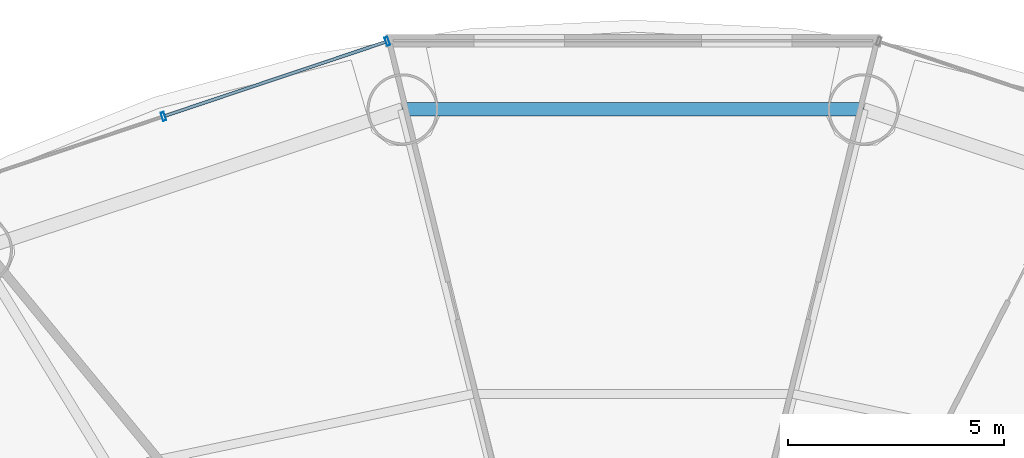
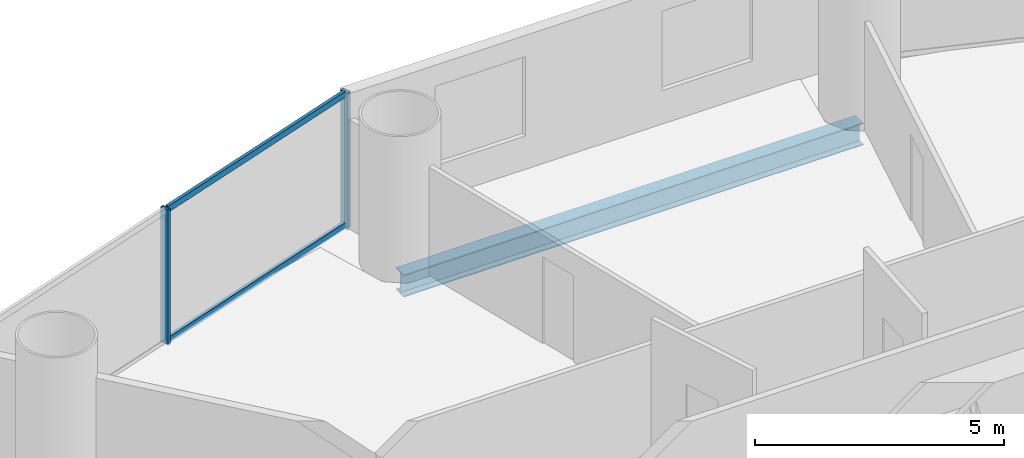
# One storey, part 16 of 28: 4 members, 1 beam, 1 element without a shape of its own.
"""IFC4 building model written with IfcOpenShell, lengths in metres."""

from ifc_helpers import new_model, si_unit, direction, frame, origin, origin_2d, place, context, subcontext, project, spatial, hollow_rectangle, i_section, extrude, source, transform, mapped, material, material_profile, profile_set, type_object, element, aggregate, save


model = new_model("IFC4")

# Units and contexts
model_context = context("Model", 3, precision=1e-05, world=origin(), true_north=direction((-0.2419218956, 0.970295726276)))
body_context = subcontext(model_context, "Body", "Model", "MODEL_VIEW")
ifc_project = project(units=[si_unit("LENGTHUNIT", "METRE"), si_unit("AREAUNIT", "SQUARE_METRE"), si_unit("VOLUMEUNIT", "CUBIC_METRE"), si_unit("PLANEANGLEUNIT", "RADIAN"), si_unit("MASSUNIT", "GRAM", prefix="KILO")], contexts=[model_context])

# Site, building, storey
site_placement = place(None, origin())
site = spatial("IfcSite", under=ifc_project, at=site_placement, CompositionType="ELEMENT")
building_placement = place(site_placement, origin())
building = spatial("IfcBuilding", under=site, at=building_placement, Name="Cobrevalo Terracotta Tower", CompositionType="ELEMENT")
storey_placement = place(building_placement, frame((0.0, 0.0, 34.800048828125)))
storey = spatial("IfcBuildingStorey", under=building, at=storey_placement, Name="L08", CompositionType="ELEMENT", Elevation=34.800048828125)

# Beam
ifc_material_1 = material(Name="Steel S355", Category="steel")
ifc_material_profile_1 = material_profile(ifc_material_1, i_section(OverallWidth=0.31201171875, OverallDepth=0.54296875, WebThickness=0.0126953125, FlangeThickness=0.020263671875, at=origin_2d()), Name="W 530x150")
ifc_profile_set_1 = profile_set([ifc_material_profile_1], Name="Steel S355")
beam_type = type_object("IfcBeamType", Name="Structural Spandrel W 530x150 (Steel S355)", PredefinedType="SPANDREL", material=ifc_profile_set_1)
beam_placement = place(storey_placement, frame((43.335693359375, 48.230224609375, -0.551513671875), z_axis=(-1.0, 0.0, 0.0), x_axis=(0.0, -1.0, 0.0)))
element("IfcBeam", 1, at=beam_placement, inside=storey, type_object=beam_type, Name="L08 perimeter ring spandrel 04", PredefinedType="SPANDREL", context=body_context, shape_type="SweptSolid", body=[
    extrude(i_section(OverallWidth=0.31201171875, OverallDepth=0.54296875, WebThickness=0.0126953125, FlangeThickness=0.020263671875, at=origin_2d()), origin(), (0.0, 0.0, 1.0), 10.67138671875),
])

# Curtain wall, members
ifc_material_2 = material(Name="Anodized aluminium", Category="aluminium")
curtain_wall_type = type_object("IfcCurtainWallType", Name="Lower-tower unitised acoustic low-E curtain wall CW-U1", PredefinedType="NOTDEFINED", material=ifc_material_2)
curtain_wall_placement = place(storey_placement, origin())
curtain_wall = element("IfcCurtainWall", 2, at=curtain_wall_placement, inside=storey, type_object=curtain_wall_type, Name="L08 curtain wall CW-L08-S05", PredefinedType="NOTDEFINED")
ifc_material_profile_2 = material_profile(ifc_material_2, hollow_rectangle(XDim=0.074951171875, YDim=0.199951171875, WallThickness=0.0048828125, at=origin_2d()), Name="CWM 75x200")
ifc_profile_set_2 = profile_set([ifc_material_profile_2], Name="Anodized aluminium")
member_type_1 = type_object("IfcMemberType", Name="Lower/mid tower unitised mullion 75x200", PredefinedType="MULLION", material=ifc_profile_set_2)
shared_shape_1 = source(origin(), body_context, "Body", "SweptSolid", [
    extrude(hollow_rectangle(XDim=0.074951171875, YDim=0.199951171875, WallThickness=0.0048828125, at=origin_2d()), origin(), (0.0, 0.0, 1.0), 3.320068359375),
])
member_1_placement = place(storey_placement, frame((32.310302734375, 49.806396484375, 0.0), z_axis=(0.0, 0.0, 1.0), x_axis=(-0.948046393597, -0.318132103987, 0.0)))
member_1 = element("IfcMember", 3, at=member_1_placement, type_object=member_type_1, Name="CW-L08-S05 vertical mullion 01", PredefinedType="MULLION", context=body_context, shape_type="MappedRepresentation", body=[
    mapped(shared_shape_1, transform((0.0, 0.0, 0.0), scale=1.0)),
])
member_2_placement = place(storey_placement, frame((27.126708984375, 48.06689453125, 0.0), z_axis=(0.0, 0.0, 1.0), x_axis=(-0.948046393597, -0.318132103987, 0.0)))
member_2 = element("IfcMember", 4, at=member_2_placement, type_object=member_type_1, Name="CW-L08-S05 vertical mullion 02", PredefinedType="MULLION", context=body_context, shape_type="MappedRepresentation", body=[
    mapped(shared_shape_1, transform((0.0, 0.0, 0.0), scale=1.0)),
])
ifc_material_profile_3 = material_profile(ifc_material_2, hollow_rectangle(XDim=0.074951171875, YDim=0.14990234375, WallThickness=0.00439453125, at=origin_2d()), Name="CWT 75x150")
ifc_profile_set_3 = profile_set([ifc_material_profile_3], Name="Anodized aluminium")
member_type_2 = type_object("IfcMemberType", Name="Tower unitised aluminium transom 75x150", PredefinedType="USERDEFINED", material=ifc_profile_set_3)
shared_shape_2 = source(origin(), body_context, "Body", "SweptSolid", [
    extrude(hollow_rectangle(XDim=0.074951171875, YDim=0.14990234375, WallThickness=0.00439453125, at=origin_2d()), origin(), (0.0, 0.0, 1.0), 5.387939453125),
])
member_3_placement = place(storey_placement, frame((32.2724609375, 49.793701171875, 0.050048828125), z_axis=(-0.94804244582, -0.318143868278, 0.0), x_axis=(0.318143868278, -0.94804244582, 0.0)))
member_3 = element("IfcMember", 5, at=member_3_placement, type_object=member_type_2, Name="CW-L08-S05 transom B01-T1", ObjectType="TRANSOM", PredefinedType="USERDEFINED", context=body_context, shape_type="MappedRepresentation", body=[
    mapped(shared_shape_2, transform((0.0, 0.0, 0.0), scale=1.0)),
])
member_4_placement = place(storey_placement, frame((32.2724609375, 49.793701171875, 3.27001953125), z_axis=(-0.94804244582, -0.318143868278, 0.0), x_axis=(0.318143868278, -0.94804244582, 0.0)))
member_4 = element("IfcMember", 6, at=member_4_placement, type_object=member_type_2, Name="CW-L08-S05 transom B01-T2", ObjectType="TRANSOM", PredefinedType="USERDEFINED", context=body_context, shape_type="MappedRepresentation", body=[
    mapped(shared_shape_2, transform((0.0, 0.0, 0.0), scale=1.0)),
])
aggregate(curtain_wall, [member_1, member_2, member_3, member_4])

save(model, "model.ifc")
